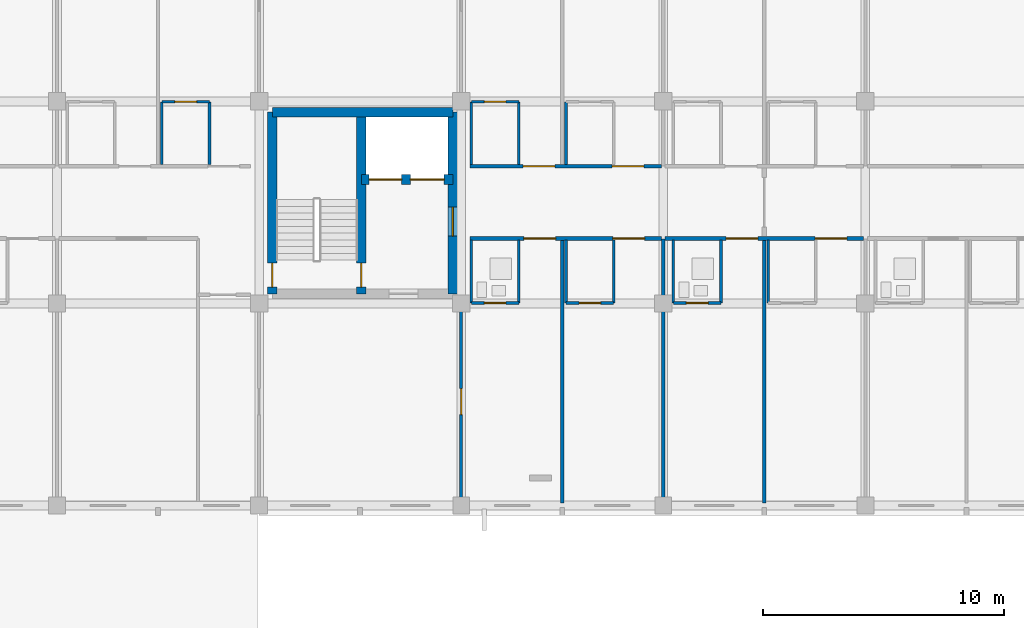
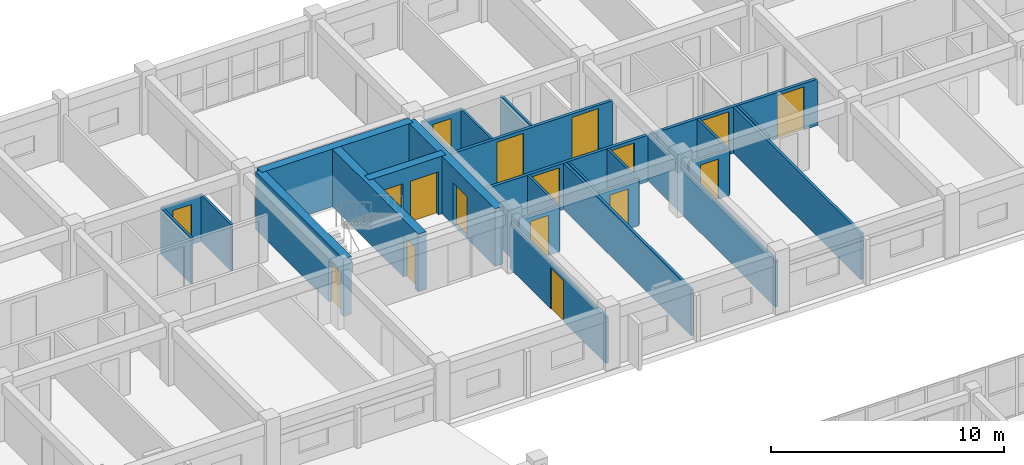
# One storey, part 124 of 148: 29 walls, 17 doors, 17 openings.
"""IFC4 building model written with IfcOpenShell, lengths in metres."""

from ifc_helpers import new_model, si_unit, direction, frame, frame_2d, origin, place, context, subcontext, project, spatial, rectangle, extrude, material, layer, layer_set, type_object, element, fill, save


model = new_model("IFC4")

# Units and contexts
model_context = context("Model", 3, precision=1e-05, world=origin(), true_north=direction((0.0, 1.0)))
body_context = subcontext(model_context, "Body", "Model", "MODEL_VIEW")
ifc_project = project(units=[si_unit("LENGTHUNIT", "METRE"), si_unit("AREAUNIT", "SQUARE_METRE"), si_unit("VOLUMEUNIT", "CUBIC_METRE"), si_unit("PLANEANGLEUNIT", "RADIAN"), si_unit("MASSUNIT", "GRAM", prefix="KILO")], contexts=[model_context])

# Site, building, storey
site_placement = place(None, origin())
site = spatial("IfcSite", under=ifc_project, at=site_placement, CompositionType="ELEMENT")
building_placement = place(site_placement, origin())
building = spatial("IfcBuilding", under=site, at=building_placement, Name="Trelvath General Hospital", CompositionType="ELEMENT")
storey_placement = place(building_placement, frame((0.0, 0.0, 12.89990234375)))
storey = spatial("IfcBuildingStorey", under=building, at=storey_placement, Name="L03", CompositionType="ELEMENT", Elevation=12.89990234375)

# Wall, openings, doors
ifc_material_1 = material(Name="Gypsum acoustic steel-stud partition", Category="steel")
ifc_layer_1 = layer(ifc_material_1, 0.14990234375)
ifc_layer_set_1 = layer_set([ifc_layer_1], Name="Gypsum acoustic steel-stud partition")
wall_type_1 = type_object("IfcWallType", Name="ClinicalPartition 150", PredefinedType="PARTITIONING", material=ifc_layer_set_1)
wall_1_placement = place(storey_placement, frame((50.760009765625, 103.5, 0.0), z_axis=(0.0, 0.0, 1.0), x_axis=(1.0, 0.0, 0.0)))
wall_1 = element("IfcWall", 1, at=wall_1_placement, inside=storey, type_object=wall_type_1, Name="Corridor Partition L03-1258", PredefinedType="PARTITIONING", context=body_context, shape_type="SweptSolid", body=[
    extrude(rectangle(XDim=7.9599609375, YDim=0.14990234375, at=frame_2d((3.97998046875, 0.0))), origin(), (0.0, 0.0, 1.0), 2.420166015625),
])
opening_1_placement = place(wall_1_placement, frame((2.25, 0.0, 0.0)))
opening_1 = element("IfcOpeningElement", 2, at=opening_1_placement, cuts=wall_1, Name="Opening D-3-0917", PredefinedType="OPENING", context=body_context, shape_type="SweptSolid", body=[
    extrude(rectangle(XDim=1.320068359375, YDim=2.25, at=frame_2d((0.66015625, 1.125))), frame((0.0, 0.0849609375, 0.0), z_axis=(0.0, -1.0, 0.0), x_axis=(1.0, 0.0, 0.0)), (0.0, 0.0, 1.0), 0.169921875),
])
opening_2_placement = place(wall_1_placement, frame((5.949951171875, 0.0, 0.0)))
opening_2 = element("IfcOpeningElement", 3, at=opening_2_placement, cuts=wall_1, Name="Opening D-3-0918", PredefinedType="OPENING", context=body_context, shape_type="SweptSolid", body=[
    extrude(rectangle(XDim=1.320068359375, YDim=2.25, at=frame_2d((0.66015625, 1.125))), frame((0.0, 0.0849609375, 0.0), z_axis=(0.0, -1.0, 0.0), x_axis=(1.0, 0.0, 0.0)), (0.0, 0.0, 1.0), 0.169921875),
])
ifc_material_2 = material(Name="Maternity bed-leaf timber door", Category="wood")
door_type_1 = type_object("IfcDoorType", Name="Door PatientMaternity 1320x2250", OperationType="NOTDEFINED", PredefinedType="DOOR", material=ifc_material_2)
door_1_placement = place(opening_1_placement, origin())
door_1 = element("IfcDoor", 4, at=door_1_placement, inside=storey, type_object=door_type_1, Name="Patient Room Door L03-917", OperationType="SINGLE_SWING_RIGHT", OverallHeight=2.25, OverallWidth=1.320068359375, PredefinedType="DOOR", context=body_context, shape_type="SweptSolid", body=[
    extrude(rectangle(XDim=1.320068359375, YDim=2.25, at=frame_2d((0.66015625, 1.125))), frame((0.0, 0.02490234375, 0.0), z_axis=(0.0, -1.0, 0.0), x_axis=(1.0, 0.0, 0.0)), (0.0, 0.0, 1.0), 0.050048828125),
])
fill(opening_1, door_1)
door_2_placement = place(opening_2_placement, origin())
door_2 = element("IfcDoor", 5, at=door_2_placement, inside=storey, type_object=door_type_1, Name="Patient Room Door L03-918", OperationType="SINGLE_SWING_LEFT", OverallHeight=2.25, OverallWidth=1.320068359375, PredefinedType="DOOR", context=body_context, shape_type="SweptSolid", body=[
    extrude(rectangle(XDim=1.320068359375, YDim=2.25, at=frame_2d((0.66015625, 1.125))), frame((0.0, 0.02490234375, 0.0), z_axis=(0.0, -1.0, 0.0), x_axis=(1.0, 0.0, 0.0)), (0.0, 0.0, 1.0), 0.050048828125),
])
fill(opening_2, door_2)

wall_2_placement = place(storey_placement, frame((58.719970703125, 106.5, 0.0), z_axis=(0.0, 0.0, 1.0), x_axis=(-1.0, 0.0, 0.0)))
wall_2 = element("IfcWall", 6, at=wall_2_placement, inside=storey, type_object=wall_type_1, Name="Corridor Partition N L03-1267", PredefinedType="PARTITIONING", context=body_context, shape_type="SweptSolid", body=[
    extrude(rectangle(XDim=7.9599609375, YDim=0.14990234375, at=frame_2d((3.97998046875, 0.0))), origin(), (0.0, 0.0, 1.0), 2.420166015625),
])
opening_3_placement = place(wall_2_placement, frame((0.72998046875, 0.0, 0.0)))
opening_3 = element("IfcOpeningElement", 7, at=opening_3_placement, cuts=wall_2, Name="Opening D-3-0921", PredefinedType="OPENING", context=body_context, shape_type="SweptSolid", body=[
    extrude(rectangle(XDim=1.320068359375, YDim=2.25, at=frame_2d((0.66015625, 1.125))), frame((0.0, 0.0849609375, 0.0), z_axis=(0.0, -1.0, 0.0), x_axis=(1.0, 0.0, 0.0)), (0.0, 0.0, 1.0), 0.169921875),
])
opening_4_placement = place(wall_2_placement, frame((4.429931640625, 0.0, 0.0)))
opening_4 = element("IfcOpeningElement", 8, at=opening_4_placement, cuts=wall_2, Name="Opening D-3-0922", PredefinedType="OPENING", context=body_context, shape_type="SweptSolid", body=[
    extrude(rectangle(XDim=1.320068359375, YDim=2.25, at=frame_2d((0.66015625, 1.125))), frame((0.0, 0.0849609375, 0.0), z_axis=(0.0, -1.0, 0.0), x_axis=(1.0, 0.0, 0.0)), (0.0, 0.0, 1.0), 0.169921875),
])
door_3_placement = place(opening_3_placement, origin())
door_3 = element("IfcDoor", 9, at=door_3_placement, inside=storey, type_object=door_type_1, Name="Patient Room Door N L03-921", OperationType="SINGLE_SWING_RIGHT", OverallHeight=2.25, OverallWidth=1.320068359375, PredefinedType="DOOR", context=body_context, shape_type="SweptSolid", body=[
    extrude(rectangle(XDim=1.320068359375, YDim=2.25, at=frame_2d((0.66015625, 1.125))), frame((0.0, 0.02490234375, 0.0), z_axis=(0.0, -1.0, 0.0), x_axis=(1.0, 0.0, 0.0)), (0.0, 0.0, 1.0), 0.050048828125),
])
fill(opening_3, door_3)
door_4_placement = place(opening_4_placement, origin())
door_4 = element("IfcDoor", 10, at=door_4_placement, inside=storey, type_object=door_type_1, Name="Patient Room Door N L03-922", OperationType="SINGLE_SWING_RIGHT", OverallHeight=2.25, OverallWidth=1.320068359375, PredefinedType="DOOR", context=body_context, shape_type="SweptSolid", body=[
    extrude(rectangle(XDim=1.320068359375, YDim=2.25, at=frame_2d((0.66015625, 1.125))), frame((0.0, 0.02490234375, 0.0), z_axis=(0.0, -1.0, 0.0), x_axis=(1.0, 0.0, 0.0)), (0.0, 0.0, 1.0), 0.050048828125),
])
fill(opening_4, door_4)

wall_3_placement = place(storey_placement, frame((58.8798828125, 103.5, 0.0), z_axis=(0.0, 0.0, 1.0), x_axis=(1.0, 0.0, 0.0)))
wall_3 = element("IfcWall", 11, at=wall_3_placement, inside=storey, type_object=wall_type_1, Name="Corridor Partition L03-1277", PredefinedType="PARTITIONING", context=body_context, shape_type="SweptSolid", body=[
    extrude(rectangle(XDim=8.240234375, YDim=0.14990234375, at=frame_2d((4.1201171875, 0.0))), origin(), (0.0, 0.0, 1.0), 2.420166015625),
])
opening_5_placement = place(wall_3_placement, frame((2.530029296875, 0.0, 0.0)))
opening_5 = element("IfcOpeningElement", 12, at=opening_5_placement, cuts=wall_3, Name="Opening D-3-0925", PredefinedType="OPENING", context=body_context, shape_type="SweptSolid", body=[
    extrude(rectangle(XDim=1.320068359375, YDim=2.25, at=frame_2d((0.66015625, 1.125))), frame((0.0, 0.0849609375, 0.0), z_axis=(0.0, -1.0, 0.0), x_axis=(1.0, 0.0, 0.0)), (0.0, 0.0, 1.0), 0.169921875),
])
opening_6_placement = place(wall_3_placement, frame((6.22998046875, 0.0, 0.0)))
opening_6 = element("IfcOpeningElement", 13, at=opening_6_placement, cuts=wall_3, Name="Opening D-3-0926", PredefinedType="OPENING", context=body_context, shape_type="SweptSolid", body=[
    extrude(rectangle(XDim=1.320068359375, YDim=2.25, at=frame_2d((0.66015625, 1.125))), frame((0.0, 0.0849609375, 0.0), z_axis=(0.0, -1.0, 0.0), x_axis=(1.0, 0.0, 0.0)), (0.0, 0.0, 1.0), 0.169921875),
])
door_5_placement = place(opening_5_placement, origin())
door_5 = element("IfcDoor", 14, at=door_5_placement, inside=storey, type_object=door_type_1, Name="Patient Room Door L03-925", OperationType="SINGLE_SWING_LEFT", OverallHeight=2.25, OverallWidth=1.320068359375, PredefinedType="DOOR", context=body_context, shape_type="SweptSolid", body=[
    extrude(rectangle(XDim=1.320068359375, YDim=2.25, at=frame_2d((0.66015625, 1.125))), frame((0.0, 0.02490234375, 0.0), z_axis=(0.0, -1.0, 0.0), x_axis=(1.0, 0.0, 0.0)), (0.0, 0.0, 1.0), 0.050048828125),
])
fill(opening_5, door_5)
door_6_placement = place(opening_6_placement, origin())
door_6 = element("IfcDoor", 15, at=door_6_placement, inside=storey, type_object=door_type_1, Name="Patient Room Door L03-926", OperationType="SINGLE_SWING_RIGHT", OverallHeight=2.25, OverallWidth=1.320068359375, PredefinedType="DOOR", context=body_context, shape_type="SweptSolid", body=[
    extrude(rectangle(XDim=1.320068359375, YDim=2.25, at=frame_2d((0.66015625, 1.125))), frame((0.0, 0.02490234375, 0.0), z_axis=(0.0, -1.0, 0.0), x_axis=(1.0, 0.0, 0.0)), (0.0, 0.0, 1.0), 0.050048828125),
])
fill(opening_6, door_6)

# Wall
ifc_material_3 = material(Name="Concrete C40/50", Category="concrete")
ifc_layer_2 = layer(ifc_material_3, 0.39990234375)
ifc_layer_set_2 = layer_set([ifc_layer_2], Name="Concrete C40/50")
wall_type_2 = type_object("IfcWallType", Name="CoreShearWall 400", PredefinedType="SHEAR", material=ifc_layer_set_2)
wall_4_placement = place(storey_placement, frame((42.550048828125, 108.75, 0.0), z_axis=(0.0, 0.0, 1.0), x_axis=(1.0, 0.0, 0.0)))
element("IfcWall", 16, at=wall_4_placement, inside=storey, type_object=wall_type_2, Name="Core Shear Wall C1 N L03", PredefinedType="SHEAR", context=body_context, shape_type="SweptSolid", body=[
    extrude(rectangle(XDim=7.5, YDim=0.39990234375, at=frame_2d((3.75, 0.0))), origin(), (0.0, 0.0, 1.0), 3.02001953125),
])

# Wall, opening, door
wall_5_placement = place(storey_placement, frame((42.550048828125, 101.199951171875, 0.0), z_axis=(0.0, 0.0, 1.0), x_axis=(0.0, 1.0, 0.0)))
wall_5 = element("IfcWall", 17, at=wall_5_placement, inside=storey, type_object=wall_type_2, Name="Core Shear Wall C1 W L03", PredefinedType="SHEAR", context=body_context, shape_type="SweptSolid", body=[
    extrude(rectangle(XDim=7.550048828125, YDim=0.39990234375, at=frame_2d((3.77490234375, 0.0))), origin(), (0.0, 0.0, 1.0), 3.02001953125),
])
opening_7_placement = place(wall_5_placement, frame((0.280029296875, 0.0, 0.0)))
opening_7 = element("IfcOpeningElement", 18, at=opening_7_placement, cuts=wall_5, Name="Opening FD-SW13", PredefinedType="OPENING", context=body_context, shape_type="SweptSolid", body=[
    extrude(rectangle(XDim=1.0, YDim=2.14990234375, at=frame_2d((0.5, 1.074951171875))), frame((0.0, 0.2099609375, 0.0), z_axis=(0.0, -1.0, 0.0), x_axis=(1.0, 0.0, 0.0)), (0.0, 0.0, 1.0), 0.419921875),
])
ifc_material_4 = material(Name="Fire-rated steel door", Category="steel")
door_type_2 = type_object("IfcDoorType", Name="Door FireStair 1100x2150", OperationType="NOTDEFINED", PredefinedType="DOOR", material=ifc_material_4)
door_7_placement = place(opening_7_placement, origin())
door_7 = element("IfcDoor", 19, at=door_7_placement, inside=storey, type_object=door_type_2, Name="West Corridor Stair Door ST1 L03", OperationType="SINGLE_SWING_LEFT", OverallHeight=2.14990234375, OverallWidth=1.0, PredefinedType="DOOR", context=body_context, shape_type="SweptSolid", body=[
    extrude(rectangle(XDim=1.0, YDim=2.14990234375, at=frame_2d((0.5, 1.074951171875))), frame((0.0, 0.02490234375, 0.0), z_axis=(0.0, -1.0, 0.0), x_axis=(1.0, 0.0, 0.0)), (0.0, 0.0, 1.0), 0.050048828125),
])
fill(opening_7, door_7)

wall_6_placement = place(storey_placement, frame((50.050048828125, 101.199951171875, 0.0), z_axis=(0.0, 0.0, 1.0), x_axis=(0.0, 1.0, 0.0)))
wall_6 = element("IfcWall", 20, at=wall_6_placement, inside=storey, type_object=wall_type_2, Name="Core Shear Wall C1 E L03", PredefinedType="SHEAR", context=body_context, shape_type="SweptSolid", body=[
    extrude(rectangle(XDim=7.550048828125, YDim=0.39990234375, at=frame_2d((3.77490234375, 0.0))), origin(), (0.0, 0.0, 1.0), 3.02001953125),
])
opening_8_placement = place(wall_6_placement, frame((2.39990234375, 0.0, 0.0)))
opening_8 = element("IfcOpeningElement", 21, at=opening_8_placement, cuts=wall_6, Name="Opening FD-LE13", PredefinedType="OPENING", context=body_context, shape_type="SweptSolid", body=[
    extrude(rectangle(XDim=1.199951171875, YDim=2.199951171875, at=frame_2d((0.60009765625, 1.10009765625))), frame((0.0, 0.2099609375, 0.0), z_axis=(0.0, -1.0, 0.0), x_axis=(1.0, 0.0, 0.0)), (0.0, 0.0, 1.0), 0.419921875),
])
ifc_material_5 = material(Name="Fire-rated steel door", Category="steel")
door_type_3 = type_object("IfcDoorType", Name="Door FireLobby 1200x2200", OperationType="NOTDEFINED", PredefinedType="DOOR", material=ifc_material_5)
door_8_placement = place(opening_8_placement, origin())
door_8 = element("IfcDoor", 22, at=door_8_placement, inside=storey, type_object=door_type_3, Name="Fire Lobby East Corridor Door C1 L03", OperationType="SINGLE_SWING_LEFT", OverallHeight=2.199951171875, OverallWidth=1.199951171875, PredefinedType="DOOR", context=body_context, shape_type="SweptSolid", body=[
    extrude(rectangle(XDim=1.199951171875, YDim=2.199951171875, at=frame_2d((0.60009765625, 1.10009765625))), frame((0.0, 0.02490234375, 0.0), z_axis=(0.0, -1.0, 0.0), x_axis=(1.0, 0.0, 0.0)), (0.0, 0.0, 1.0), 0.050048828125),
])
fill(opening_8, door_8)

wall_7_placement = place(storey_placement, frame((46.25, 101.199951171875, 0.0), z_axis=(0.0, 0.0, 1.0), x_axis=(0.0, 1.0, 0.0)))
wall_7 = element("IfcWall", 23, at=wall_7_placement, inside=storey, type_object=wall_type_2, Name="Core Shear Wall C1 SPINE L03", PredefinedType="SHEAR", context=body_context, shape_type="SweptSolid", body=[
    extrude(rectangle(XDim=7.550048828125, YDim=0.39990234375, at=frame_2d((3.77490234375, 0.0))), origin(), (0.0, 0.0, 1.0), 3.02001953125),
])
opening_9_placement = place(wall_7_placement, frame((0.280029296875, 0.0, 0.0)))
opening_9 = element("IfcOpeningElement", 24, at=opening_9_placement, cuts=wall_7, Name="Opening FD-S13", PredefinedType="OPENING", context=body_context, shape_type="SweptSolid", body=[
    extrude(rectangle(XDim=1.0, YDim=2.14990234375, at=frame_2d((0.5, 1.074951171875))), frame((0.0, 0.2099609375, 0.0), z_axis=(0.0, -1.0, 0.0), x_axis=(1.0, 0.0, 0.0)), (0.0, 0.0, 1.0), 0.419921875),
])
door_9_placement = place(opening_9_placement, origin())
door_9 = element("IfcDoor", 25, at=door_9_placement, inside=storey, type_object=door_type_2, Name="Exit Stair Door ST1 L03", OperationType="SINGLE_SWING_RIGHT", OverallHeight=2.14990234375, OverallWidth=1.0, PredefinedType="DOOR", context=body_context, shape_type="SweptSolid", body=[
    extrude(rectangle(XDim=1.0, YDim=2.14990234375, at=frame_2d((0.5, 1.074951171875))), frame((0.0, 0.02490234375, 0.0), z_axis=(0.0, -1.0, 0.0), x_axis=(1.0, 0.0, 0.0)), (0.0, 0.0, 1.0), 0.050048828125),
])
fill(opening_9, door_9)

# Wall, openings, doors
wall_8_placement = place(storey_placement, frame((46.25, 105.949951171875, 0.0), z_axis=(0.0, 0.0, 1.0), x_axis=(1.0, 0.0, 0.0)))
wall_8 = element("IfcWall", 26, at=wall_8_placement, inside=storey, type_object=wall_type_2, Name="Core Shear Wall C1 SHAFT L03", PredefinedType="SHEAR", context=body_context, shape_type="SweptSolid", body=[
    extrude(rectangle(XDim=3.800048828125, YDim=0.39990234375, at=frame_2d((1.89990234375, 0.0))), origin(), (0.0, 0.0, 1.0), 3.02001953125),
])
opening_10_placement = place(wall_8_placement, frame((0.320068359375, 0.0, 0.0)))
opening_10 = element("IfcOpeningElement", 27, at=opening_10_placement, cuts=wall_8, Name="Opening LD-FF1-3", PredefinedType="OPENING", context=body_context, shape_type="SweptSolid", body=[
    extrude(rectangle(XDim=1.35009765625, YDim=2.25, at=frame_2d((0.675048828125, 1.125))), frame((0.0, 0.2099609375, 0.0), z_axis=(0.0, -1.0, 0.0), x_axis=(1.0, 0.0, 0.0)), (0.0, 0.0, 1.0), 0.419921875),
])
opening_11_placement = place(wall_8_placement, frame((2.0400390625, 0.0, 0.0)))
opening_11 = element("IfcOpeningElement", 28, at=opening_11_placement, cuts=wall_8, Name="Opening LD-BD1-3", PredefinedType="OPENING", context=body_context, shape_type="SweptSolid", body=[
    extrude(rectangle(XDim=1.39990234375, YDim=2.25, at=frame_2d((0.699951171875, 1.125))), frame((0.0, 0.2099609375, 0.0), z_axis=(0.0, -1.0, 0.0), x_axis=(1.0, 0.0, 0.0)), (0.0, 0.0, 1.0), 0.419921875),
])
ifc_material_6 = material(Name="Stainless steel stretcher lift landing door", Category="steel")
door_type_4 = type_object("IfcDoorType", Name="Door LiftBed 1400x2250", OperationType="SLIDING_TO_LEFT", PredefinedType="DOOR", material=ifc_material_6)
door_10_placement = place(opening_11_placement, origin())
door_10 = element("IfcDoor", 29, at=door_10_placement, inside=storey, type_object=door_type_4, Name="Lift Landing Sliding Door LF-BD1 L03", OperationType="SLIDING_TO_LEFT", OverallHeight=2.25, OverallWidth=1.39990234375, PredefinedType="DOOR", context=body_context, shape_type="SweptSolid", body=[
    extrude(rectangle(XDim=1.39990234375, YDim=2.25, at=frame_2d((0.699951171875, 1.125))), frame((0.0, 0.02490234375, 0.0), z_axis=(0.0, -1.0, 0.0), x_axis=(1.0, 0.0, 0.0)), (0.0, 0.0, 1.0), 0.050048828125),
])
fill(opening_11, door_10)
ifc_material_7 = material(Name="Fire-rated stainless lift landing door")
door_type_5 = type_object("IfcDoorType", Name="Door LiftFire 1350x2250", OperationType="SLIDING_TO_LEFT", PredefinedType="DOOR", material=ifc_material_7)
door_11_placement = place(opening_10_placement, origin())
door_11 = element("IfcDoor", 30, at=door_11_placement, inside=storey, type_object=door_type_5, Name="Lift Landing Sliding Door LF-FF1 L03", OperationType="SLIDING_TO_LEFT", OverallHeight=2.25, OverallWidth=1.35009765625, PredefinedType="DOOR", context=body_context, shape_type="SweptSolid", body=[
    extrude(rectangle(XDim=1.35009765625, YDim=2.25, at=frame_2d((0.675048828125, 1.125))), frame((0.0, 0.02490234375, 0.0), z_axis=(0.0, -1.0, 0.0), x_axis=(1.0, 0.0, 0.0)), (0.0, 0.0, 1.0), 0.050048828125),
])
fill(opening_10, door_11)

# Walls
ifc_material_8 = material(Name="Moisture-resistant tile partition")
ifc_layer_3 = layer(ifc_material_8, 0.110107421875)
ifc_layer_set_3 = layer_set([ifc_layer_3], Name="Moisture-resistant tile partition")
wall_type_3 = type_object("IfcWallType", Name="EnSuiteWetWall 110", PredefinedType="PARTITIONING", material=ifc_layer_set_3)
for number, where, z_axis, x_axis, name in (
    (31, (37.9599609375, 106.570068359375, 0.0), (0.0, 0.0, 1.0), (0.0, 1.0, 0.0), "En-Suite W Wall N L03-1251"),
    (32, (39.93994140625, 106.570068359375, 0.0), (0.0, 0.0, 1.0), (0.0, 1.0, 0.0), "En-Suite E Wall N L03-1252"),
):
    element("IfcWall", number, at=place(storey_placement, frame(where, z_axis=z_axis, x_axis=x_axis)), inside=storey, type_object=wall_type_3, Name=name, PredefinedType="PARTITIONING", context=body_context, shape_type="SweptSolid", body=[
        extrude(rectangle(XDim=2.60986328125, YDim=0.110107421875, at=frame_2d((1.304931640625, 0.0))), origin(), (0.0, 0.0, 1.0), 2.420166015625),
    ])

# Wall, opening, door
wall_9_placement = place(storey_placement, frame((37.9599609375, 109.179931640625, 0.0), z_axis=(0.0, 0.0, 1.0), x_axis=(1.0, 0.0, 0.0)))
wall_9 = element("IfcWall", 33, at=wall_9_placement, inside=storey, type_object=wall_type_3, Name="En-Suite Bathroom N Partition L03-1253", PredefinedType="PARTITIONING", context=body_context, shape_type="SweptSolid", body=[
    extrude(rectangle(XDim=1.97998046875, YDim=0.110107421875, at=frame_2d((0.989990234375, 0.0))), origin(), (0.0, 0.0, 1.0), 2.420166015625),
])
opening_12_placement = place(wall_9_placement, frame((0.5400390625, 0.0, 0.0)))
opening_12 = element("IfcOpeningElement", 34, at=opening_12_placement, cuts=wall_9, Name="Opening D-3-0912", PredefinedType="OPENING", context=body_context, shape_type="SweptSolid", body=[
    extrude(rectangle(XDim=0.89990234375, YDim=2.10009765625, at=frame_2d((0.449951171875, 1.050048828125))), frame((0.0, 0.06494140625, 0.0), z_axis=(0.0, -1.0, 0.0), x_axis=(1.0, 0.0, 0.0)), (0.0, 0.0, 1.0), 0.130126953125),
])
ifc_material_9 = material(Name="Moisture-sealed timber leaf", Category="wood")
door_type_6 = type_object("IfcDoorType", Name="Door EnSuite 900x2100", OperationType="NOTDEFINED", PredefinedType="DOOR", material=ifc_material_9)
door_12_placement = place(opening_12_placement, origin())
door_12 = element("IfcDoor", 35, at=door_12_placement, inside=storey, type_object=door_type_6, Name="En-Suite Bathroom N Door L03-912", OperationType="SINGLE_SWING_LEFT", OverallHeight=2.10009765625, OverallWidth=0.89990234375, PredefinedType="DOOR", context=body_context, shape_type="SweptSolid", body=[
    extrude(rectangle(XDim=0.89990234375, YDim=2.10009765625, at=frame_2d((0.449951171875, 1.050048828125))), frame((0.0, 0.02490234375, 0.0), z_axis=(0.0, -1.0, 0.0), x_axis=(1.0, 0.0, 0.0)), (0.0, 0.0, 1.0), 0.050048828125),
])
fill(opening_12, door_12)

# Walls
for number, where, z_axis, x_axis, name in (
    (36, (50.820068359375, 100.820068359375, 0.0), (0.0, 0.0, 1.0), (0.0, 1.0, 0.0), "En-Suite W Wall L03-1260"),
    (37, (52.800048828125, 100.820068359375, 0.0), (0.0, 0.0, 1.0), (0.0, 1.0, 0.0), "En-Suite E Wall L03-1261"),
):
    element("IfcWall", number, at=place(storey_placement, frame(where, z_axis=z_axis, x_axis=x_axis)), inside=storey, type_object=wall_type_3, Name=name, PredefinedType="PARTITIONING", context=body_context, shape_type="SweptSolid", body=[
        extrude(rectangle(XDim=2.60986328125, YDim=0.110107421875, at=frame_2d((1.304931640625, 0.0))), origin(), (0.0, 0.0, 1.0), 2.420166015625),
    ])

# Wall, opening, door
wall_10_placement = place(storey_placement, frame((50.820068359375, 100.820068359375, 0.0), z_axis=(0.0, 0.0, 1.0), x_axis=(1.0, 0.0, 0.0)))
wall_10 = element("IfcWall", 38, at=wall_10_placement, inside=storey, type_object=wall_type_3, Name="En-Suite Bathroom Partition L03-1262", PredefinedType="PARTITIONING", context=body_context, shape_type="SweptSolid", body=[
    extrude(rectangle(XDim=1.97998046875, YDim=0.110107421875, at=frame_2d((0.989990234375, 0.0))), origin(), (0.0, 0.0, 1.0), 2.420166015625),
])
opening_13_placement = place(wall_10_placement, frame((0.5400390625, 0.0, 0.0)))
opening_13 = element("IfcOpeningElement", 39, at=opening_13_placement, cuts=wall_10, Name="Opening D-3-0919", PredefinedType="OPENING", context=body_context, shape_type="SweptSolid", body=[
    extrude(rectangle(XDim=0.89990234375, YDim=2.10009765625, at=frame_2d((0.449951171875, 1.050048828125))), frame((0.0, 0.06494140625, 0.0), z_axis=(0.0, -1.0, 0.0), x_axis=(1.0, 0.0, 0.0)), (0.0, 0.0, 1.0), 0.130126953125),
])
door_13_placement = place(opening_13_placement, origin())
door_13 = element("IfcDoor", 40, at=door_13_placement, inside=storey, type_object=door_type_6, Name="En-Suite Bathroom Door L03-919", OperationType="SINGLE_SWING_RIGHT", OverallHeight=2.10009765625, OverallWidth=0.89990234375, PredefinedType="DOOR", context=body_context, shape_type="SweptSolid", body=[
    extrude(rectangle(XDim=0.89990234375, YDim=2.10009765625, at=frame_2d((0.449951171875, 1.050048828125))), frame((0.0, 0.02490234375, 0.0), z_axis=(0.0, -1.0, 0.0), x_axis=(1.0, 0.0, 0.0)), (0.0, 0.0, 1.0), 0.050048828125),
])
fill(opening_13, door_13)

# Walls
for number, where, z_axis, x_axis, name in (
    (41, (54.760009765625, 100.820068359375, 0.0), (0.0, 0.0, 1.0), (0.0, 1.0, 0.0), "En-Suite W Wall L03-1263"),
    (42, (56.739990234375, 100.820068359375, 0.0), (0.0, 0.0, 1.0), (0.0, 1.0, 0.0), "En-Suite E Wall L03-1264"),
):
    element("IfcWall", number, at=place(storey_placement, frame(where, z_axis=z_axis, x_axis=x_axis)), inside=storey, type_object=wall_type_3, Name=name, PredefinedType="PARTITIONING", context=body_context, shape_type="SweptSolid", body=[
        extrude(rectangle(XDim=2.60986328125, YDim=0.110107421875, at=frame_2d((1.304931640625, 0.0))), origin(), (0.0, 0.0, 1.0), 2.420166015625),
    ])

# Wall, opening, door
wall_11_placement = place(storey_placement, frame((54.760009765625, 100.820068359375, 0.0), z_axis=(0.0, 0.0, 1.0), x_axis=(1.0, 0.0, 0.0)))
wall_11 = element("IfcWall", 43, at=wall_11_placement, inside=storey, type_object=wall_type_3, Name="En-Suite Bathroom Partition L03-1265", PredefinedType="PARTITIONING", context=body_context, shape_type="SweptSolid", body=[
    extrude(rectangle(XDim=1.97998046875, YDim=0.110107421875, at=frame_2d((0.989990234375, 0.0))), origin(), (0.0, 0.0, 1.0), 2.420166015625),
])
opening_14_placement = place(wall_11_placement, frame((0.5400390625, 0.0, 0.0)))
opening_14 = element("IfcOpeningElement", 44, at=opening_14_placement, cuts=wall_11, Name="Opening D-3-0920", PredefinedType="OPENING", context=body_context, shape_type="SweptSolid", body=[
    extrude(rectangle(XDim=0.89990234375, YDim=2.10009765625, at=frame_2d((0.449951171875, 1.050048828125))), frame((0.0, 0.06494140625, 0.0), z_axis=(0.0, -1.0, 0.0), x_axis=(1.0, 0.0, 0.0)), (0.0, 0.0, 1.0), 0.130126953125),
])
door_14_placement = place(opening_14_placement, origin())
door_14 = element("IfcDoor", 45, at=door_14_placement, inside=storey, type_object=door_type_6, Name="En-Suite Bathroom Door L03-920", OperationType="SINGLE_SWING_LEFT", OverallHeight=2.10009765625, OverallWidth=0.89990234375, PredefinedType="DOOR", context=body_context, shape_type="SweptSolid", body=[
    extrude(rectangle(XDim=0.89990234375, YDim=2.10009765625, at=frame_2d((0.449951171875, 1.050048828125))), frame((0.0, 0.02490234375, 0.0), z_axis=(0.0, -1.0, 0.0), x_axis=(1.0, 0.0, 0.0)), (0.0, 0.0, 1.0), 0.050048828125),
])
fill(opening_14, door_14)

# Walls
for number, where, z_axis, x_axis, name in (
    (46, (50.820068359375, 106.570068359375, 0.0), (0.0, 0.0, 1.0), (0.0, 1.0, 0.0), "En-Suite W Wall N L03-1269"),
    (47, (52.800048828125, 106.570068359375, 0.0), (0.0, 0.0, 1.0), (0.0, 1.0, 0.0), "En-Suite E Wall N L03-1270"),
):
    element("IfcWall", number, at=place(storey_placement, frame(where, z_axis=z_axis, x_axis=x_axis)), inside=storey, type_object=wall_type_3, Name=name, PredefinedType="PARTITIONING", context=body_context, shape_type="SweptSolid", body=[
        extrude(rectangle(XDim=2.60986328125, YDim=0.110107421875, at=frame_2d((1.304931640625, 0.0))), origin(), (0.0, 0.0, 1.0), 2.420166015625),
    ])

# Wall, opening, door
wall_12_placement = place(storey_placement, frame((50.820068359375, 109.179931640625, 0.0), z_axis=(0.0, 0.0, 1.0), x_axis=(1.0, 0.0, 0.0)))
wall_12 = element("IfcWall", 48, at=wall_12_placement, inside=storey, type_object=wall_type_3, Name="En-Suite Bathroom N Partition L03-1271", PredefinedType="PARTITIONING", context=body_context, shape_type="SweptSolid", body=[
    extrude(rectangle(XDim=1.97998046875, YDim=0.110107421875, at=frame_2d((0.989990234375, 0.0))), origin(), (0.0, 0.0, 1.0), 2.420166015625),
])
opening_15_placement = place(wall_12_placement, frame((0.5400390625, 0.0, 0.0)))
opening_15 = element("IfcOpeningElement", 49, at=opening_15_placement, cuts=wall_12, Name="Opening D-3-0923", PredefinedType="OPENING", context=body_context, shape_type="SweptSolid", body=[
    extrude(rectangle(XDim=0.89990234375, YDim=2.10009765625, at=frame_2d((0.449951171875, 1.050048828125))), frame((0.0, 0.06494140625, 0.0), z_axis=(0.0, -1.0, 0.0), x_axis=(1.0, 0.0, 0.0)), (0.0, 0.0, 1.0), 0.130126953125),
])
door_15_placement = place(opening_15_placement, origin())
door_15 = element("IfcDoor", 50, at=door_15_placement, inside=storey, type_object=door_type_6, Name="En-Suite Bathroom N Door L03-923", OperationType="SINGLE_SWING_LEFT", OverallHeight=2.10009765625, OverallWidth=0.89990234375, PredefinedType="DOOR", context=body_context, shape_type="SweptSolid", body=[
    extrude(rectangle(XDim=0.89990234375, YDim=2.10009765625, at=frame_2d((0.449951171875, 1.050048828125))), frame((0.0, 0.02490234375, 0.0), z_axis=(0.0, -1.0, 0.0), x_axis=(1.0, 0.0, 0.0)), (0.0, 0.0, 1.0), 0.050048828125),
])
fill(opening_15, door_15)

# Walls
for number, where, z_axis, x_axis, name in (
    (51, (54.760009765625, 106.570068359375, 0.0), (0.0, 0.0, 1.0), (0.0, 1.0, 0.0), "En-Suite W Wall N L03-1272"),
    (52, (59.219970703125, 100.820068359375, 0.0), (0.0, 0.0, 1.0), (0.0, 1.0, 0.0), "En-Suite W Wall L03-1279"),
    (53, (61.199951171875, 100.820068359375, 0.0), (0.0, 0.0, 1.0), (0.0, 1.0, 0.0), "En-Suite E Wall L03-1280"),
):
    element("IfcWall", number, at=place(storey_placement, frame(where, z_axis=z_axis, x_axis=x_axis)), inside=storey, type_object=wall_type_3, Name=name, PredefinedType="PARTITIONING", context=body_context, shape_type="SweptSolid", body=[
        extrude(rectangle(XDim=2.60986328125, YDim=0.110107421875, at=frame_2d((1.304931640625, 0.0))), origin(), (0.0, 0.0, 1.0), 2.420166015625),
    ])

# Wall, opening, door
wall_13_placement = place(storey_placement, frame((59.219970703125, 100.820068359375, 0.0), z_axis=(0.0, 0.0, 1.0), x_axis=(1.0, 0.0, 0.0)))
wall_13 = element("IfcWall", 54, at=wall_13_placement, inside=storey, type_object=wall_type_3, Name="En-Suite Bathroom Partition L03-1281", PredefinedType="PARTITIONING", context=body_context, shape_type="SweptSolid", body=[
    extrude(rectangle(XDim=1.97998046875, YDim=0.110107421875, at=frame_2d((0.989990234375, 0.0))), origin(), (0.0, 0.0, 1.0), 2.420166015625),
])
opening_16_placement = place(wall_13_placement, frame((0.5400390625, 0.0, 0.0)))
opening_16 = element("IfcOpeningElement", 55, at=opening_16_placement, cuts=wall_13, Name="Opening D-3-0927", PredefinedType="OPENING", context=body_context, shape_type="SweptSolid", body=[
    extrude(rectangle(XDim=0.89990234375, YDim=2.10009765625, at=frame_2d((0.449951171875, 1.050048828125))), frame((0.0, 0.06494140625, 0.0), z_axis=(0.0, -1.0, 0.0), x_axis=(1.0, 0.0, 0.0)), (0.0, 0.0, 1.0), 0.130126953125),
])
door_16_placement = place(opening_16_placement, origin())
door_16 = element("IfcDoor", 56, at=door_16_placement, inside=storey, type_object=door_type_6, Name="En-Suite Bathroom Door L03-927", OperationType="SINGLE_SWING_LEFT", OverallHeight=2.10009765625, OverallWidth=0.89990234375, PredefinedType="DOOR", context=body_context, shape_type="SweptSolid", body=[
    extrude(rectangle(XDim=0.89990234375, YDim=2.10009765625, at=frame_2d((0.449951171875, 1.050048828125))), frame((0.0, 0.02490234375, 0.0), z_axis=(0.0, -1.0, 0.0), x_axis=(1.0, 0.0, 0.0)), (0.0, 0.0, 1.0), 0.050048828125),
])
fill(opening_16, door_16)

# Wall
wall_14_placement = place(storey_placement, frame((63.159912109375, 100.820068359375, 0.0), z_axis=(0.0, 0.0, 1.0), x_axis=(0.0, 1.0, 0.0)))
element("IfcWall", 57, at=wall_14_placement, inside=storey, type_object=wall_type_3, Name="En-Suite W Wall L03-1282", PredefinedType="PARTITIONING", context=body_context, shape_type="SweptSolid", body=[
    extrude(rectangle(XDim=2.60986328125, YDim=0.110107421875, at=frame_2d((1.304931640625, 0.0))), origin(), (0.0, 0.0, 1.0), 2.420166015625),
])

# Wall, opening, door
ifc_material_10 = material(Name="Gypsum acoustic steel-stud partition", Category="steel")
ifc_layer_4 = layer(ifc_material_10, 0.1298828125)
ifc_layer_set_4 = layer_set([ifc_layer_4], Name="Gypsum acoustic steel-stud partition")
wall_type_4 = type_object("IfcWallType", Name="WardPartition 130", PredefinedType="PARTITIONING", material=ifc_layer_set_4)
wall_15_placement = place(storey_placement, frame((50.39990234375, 92.5400390625, 0.0), z_axis=(0.0, 0.0, 1.0), x_axis=(0.0, 1.0, 0.0)))
wall_15 = element("IfcWall", 58, at=wall_15_placement, inside=storey, type_object=wall_type_4, Name="Inter-Bay Ward Partition S L03-1256", PredefinedType="PARTITIONING", context=body_context, shape_type="SweptSolid", body=[
    extrude(rectangle(XDim=8.2099609375, YDim=0.1298828125, at=frame_2d((4.10498046875, 0.0))), origin(), (0.0, 0.0, 1.0), 2.420166015625),
])
opening_17_placement = place(wall_15_placement, frame((3.639892578125, 0.0, 0.0)))
opening_17 = element("IfcOpeningElement", 59, at=opening_17_placement, cuts=wall_15, Name="Opening D-3-0915", PredefinedType="OPENING", context=body_context, shape_type="SweptSolid", body=[
    extrude(rectangle(XDim=1.080078125, YDim=2.14990234375, at=frame_2d((0.5400390625, 1.074951171875))), frame((0.0, 0.074951171875, 0.0), z_axis=(0.0, -1.0, 0.0), x_axis=(1.0, 0.0, 0.0)), (0.0, 0.0, 1.0), 0.14990234375),
])
ifc_material_11 = material(Name="Acoustic hospital timber leaf", Category="wood")
door_type_7 = type_object("IfcDoorType", Name="Door CleanSupply 1080x2150", OperationType="NOTDEFINED", PredefinedType="DOOR", material=ifc_material_11)
door_17_placement = place(opening_17_placement, origin())
door_17 = element("IfcDoor", 60, at=door_17_placement, inside=storey, type_object=door_type_7, Name="Clean Supply Connecting Door L03-915", OperationType="SINGLE_SWING_RIGHT", OverallHeight=2.14990234375, OverallWidth=1.080078125, PredefinedType="DOOR", context=body_context, shape_type="SweptSolid", body=[
    extrude(rectangle(XDim=1.080078125, YDim=2.14990234375, at=frame_2d((0.5400390625, 1.074951171875))), frame((0.0, 0.02490234375, 0.0), z_axis=(0.0, -1.0, 0.0), x_axis=(1.0, 0.0, 0.0)), (0.0, 0.0, 1.0), 0.050048828125),
])
fill(opening_17, door_17)

# Walls
wall_16_placement = place(storey_placement, frame((54.60009765625, 92.5, 0.0), z_axis=(0.0, 0.0, 1.0), x_axis=(0.0, 1.0, 0.0)))
element("IfcWall", 61, at=wall_16_placement, inside=storey, type_object=wall_type_4, Name="Room Dividing Partition S L03-1259", PredefinedType="PARTITIONING", context=body_context, shape_type="SweptSolid", body=[
    extrude(rectangle(XDim=10.929931640625, YDim=0.1298828125, at=frame_2d((5.46484375, 0.0))), origin(), (0.0, 0.0, 1.0), 2.420166015625),
])
wall_17_placement = place(storey_placement, frame((58.800048828125, 92.5400390625, 0.0), z_axis=(0.0, 0.0, 1.0), x_axis=(0.0, 1.0, 0.0)))
element("IfcWall", 62, at=wall_17_placement, inside=storey, type_object=wall_type_4, Name="Inter-Bay Ward Partition S L03-1275", PredefinedType="PARTITIONING", context=body_context, shape_type="SweptSolid", body=[
    extrude(rectangle(XDim=10.93994140625, YDim=0.1298828125, at=frame_2d((5.469970703125, 0.0))), origin(), (0.0, 0.0, 1.0), 2.420166015625),
])
wall_18_placement = place(storey_placement, frame((63.0, 92.5, 0.0), z_axis=(0.0, 0.0, 1.0), x_axis=(0.0, 1.0, 0.0)))
element("IfcWall", 63, at=wall_18_placement, inside=storey, type_object=wall_type_4, Name="Room Dividing Partition S L03-1278", PredefinedType="PARTITIONING", context=body_context, shape_type="SweptSolid", body=[
    extrude(rectangle(XDim=10.929931640625, YDim=0.1298828125, at=frame_2d((5.46484375, 0.0))), origin(), (0.0, 0.0, 1.0), 2.420166015625),
])

save(model, "model.ifc")
